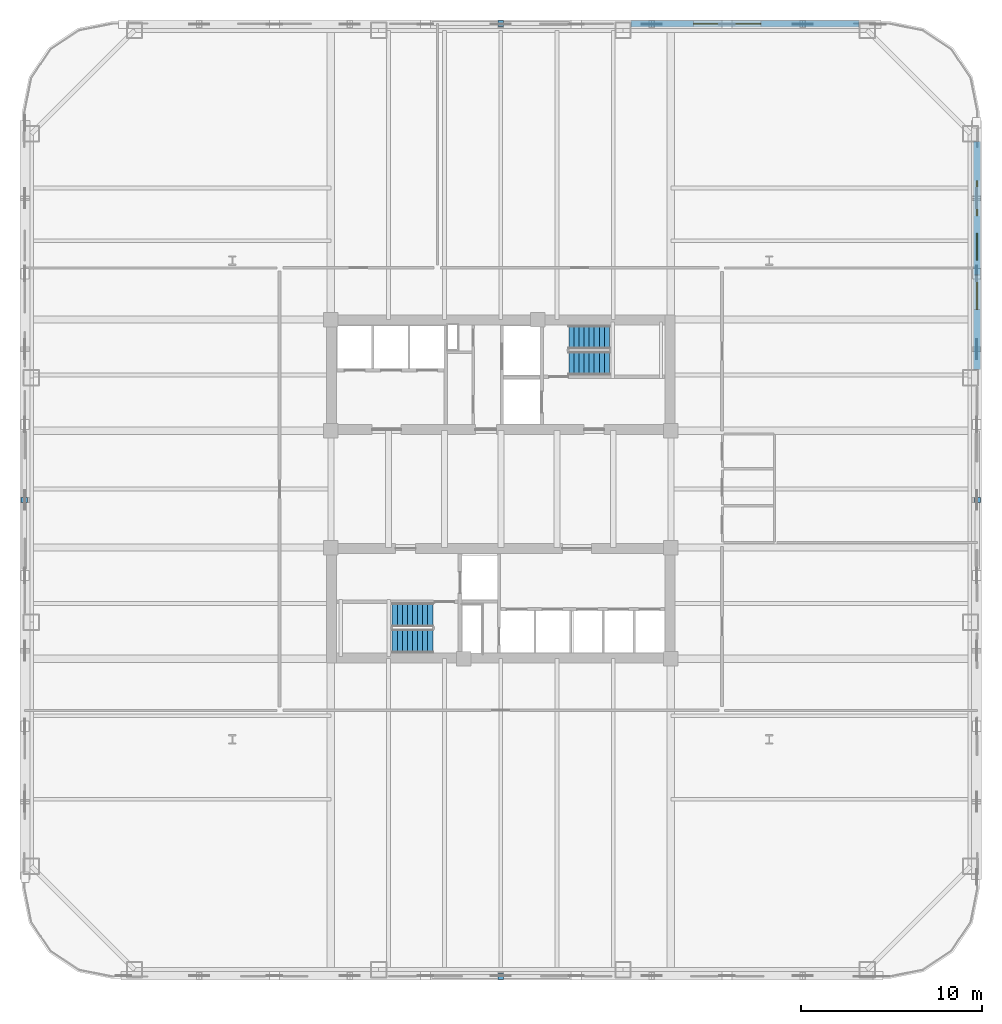
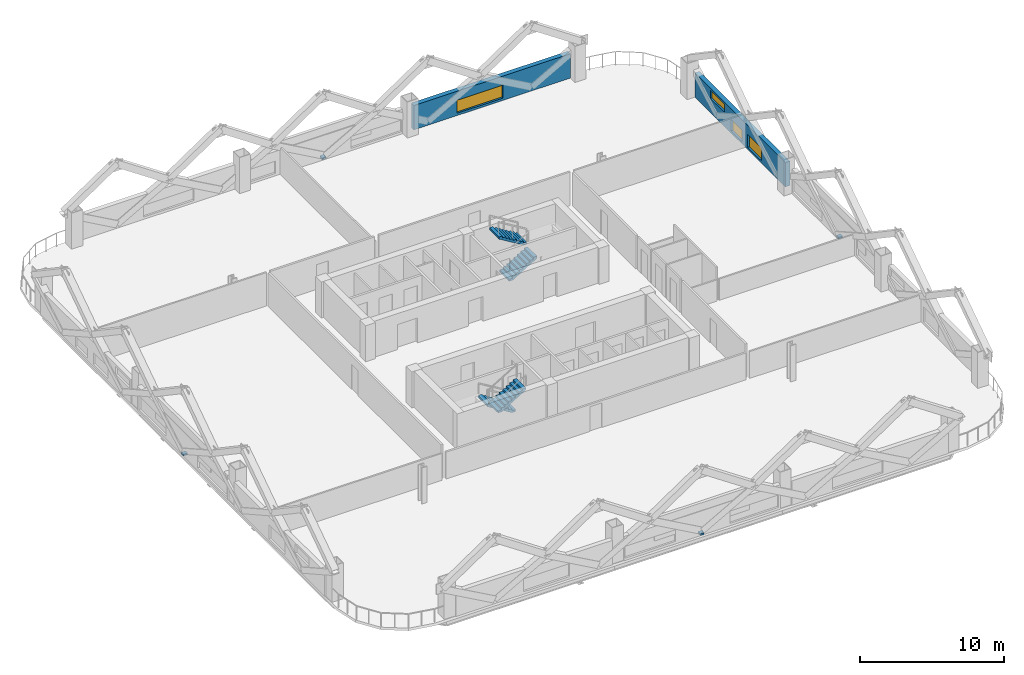
# One storey, part 7 of 13: 4 discrete accessories, 4 stair flights, 4 windows, 2 walls, 4 openings, 2 elements without a shape of their own.
"""IFC4 building model written with IfcOpenShell, lengths in metres."""

from ifc_helpers import new_model, si_unit, direction, frame, frame_2d, origin, origin_2d, place, context, subcontext, project, spatial, polyline, rectangle, outline, extrude, material, layer, layer_set, type_object, element, fill, aggregate, save


model = new_model("IFC4")

# Units and contexts
model_context = context("Model", 3, precision=1e-05, world=origin(), true_north=direction((0.0, 1.0)))
body_context = subcontext(model_context, "Body", "Model", "MODEL_VIEW")
ifc_project = project(units=[si_unit("LENGTHUNIT", "METRE"), si_unit("AREAUNIT", "SQUARE_METRE"), si_unit("VOLUMEUNIT", "CUBIC_METRE"), si_unit("PLANEANGLEUNIT", "RADIAN"), si_unit("MASSUNIT", "GRAM", prefix="KILO")], contexts=[model_context])

# Site, building, storey
site_placement = place(None, origin())
site = spatial("IfcSite", under=ifc_project, at=site_placement, CompositionType="ELEMENT")
building_placement = place(site_placement, origin())
building = spatial("IfcBuilding", under=site, at=building_placement, Name="Qhalaya Broadcast Tower", CompositionType="ELEMENT")
storey_placement = place(building_placement, frame((0.0, 0.0, 32.199951171875)))
storey = spatial("IfcBuildingStorey", under=building, at=storey_placement, Name="L08", CompositionType="ELEMENT", Elevation=32.199951171875)

# Wall, openings, windows
ifc_material_1 = material(Name="Precast Concrete C40/50", Category="concrete")
ifc_layer = layer(ifc_material_1, 0.360107421875, Name="Precast Concrete C40/50")
ifc_layer_set = layer_set([ifc_layer], Name="Precast Concrete C40/50")
wall_type = type_object("IfcWallType", Name="Insulated Precast Terracotta Exterior Wall 360", PredefinedType="SOLIDWALL", material=ifc_layer_set)
wall_1_placement = place(storey_placement, frame((26.260009765625, 19.761962890625, 0.0), z_axis=(0.0, 0.0, 1.0), x_axis=(0.0, -1.0, 0.0)))
wall_1 = element("IfcWall", 1, at=wall_1_placement, inside=storey, type_object=wall_type, Name="L08 Exoskeleton Diagrid Infill Wall E1", PredefinedType="SOLIDWALL", context=body_context, shape_type="SweptSolid", body=[
    extrude(rectangle(XDim=12.57861328125, YDim=0.360107421875, at=frame_2d((6.289306640625, 0.0))), origin(), (0.0, 0.0, 1.0), 2.067138671875),
])
opening_1_placement = place(wall_1_placement, frame((2.14990234375, 0.0, 1.199951171875)))
opening_1 = element("IfcOpeningElement", 2, at=opening_1_placement, cuts=wall_1, Name="Opening W11", PredefinedType="OPENING", context=body_context, shape_type="SweptSolid", body=[
    extrude(rectangle(XDim=1.949951171875, YDim=0.699951171875, at=frame_2d((0.97509765625, 0.35009765625))), frame((0.0, 0.192138671875, 0.0), z_axis=(0.0, -1.0, 0.0), x_axis=(1.0, 0.0, 0.0)), (0.0, 0.0, 1.0), 0.384033203125),
])
opening_2_placement = place(wall_1_placement, frame((5.050048828125, 0.0, 0.199951171875)))
opening_2 = element("IfcOpeningElement", 3, at=opening_2_placement, cuts=wall_1, Name="Opening W11", PredefinedType="OPENING", context=body_context, shape_type="SweptSolid", body=[
    extrude(rectangle(XDim=1.5, YDim=0.949951171875, at=frame_2d((0.75, 0.47509765625))), frame((0.0, 0.192138671875, 0.0), z_axis=(0.0, -1.0, 0.0), x_axis=(1.0, 0.0, 0.0)), (0.0, 0.0, 1.0), 0.384033203125),
])
opening_3_placement = place(wall_1_placement, frame((7.35009765625, 0.0, 0.199951171875)))
opening_3 = element("IfcOpeningElement", 4, at=opening_3_placement, cuts=wall_1, Name="Opening W11", PredefinedType="OPENING", context=body_context, shape_type="SweptSolid", body=[
    extrude(rectangle(XDim=1.89990234375, YDim=1.10009765625, at=frame_2d((0.949951171875, 0.550048828125))), frame((0.0, 0.192138671875, 0.0), z_axis=(0.0, -1.0, 0.0), x_axis=(1.0, 0.0, 0.0)), (0.0, 0.0, 1.0), 0.384033203125),
])
ifc_material_2 = material(Name="Solar-Control Low-E Triple Glazing", Category="glass")
window_type = type_object("IfcWindowType", Name="Odd-Block Diagrid Infill Window W11", PartitioningType="SINGLE_PANEL", PredefinedType="WINDOW", material=ifc_material_2)
window_1_placement = place(opening_1_placement, origin())
window_1 = element("IfcWindow", 5, at=window_1_placement, inside=storey, type_object=window_type, Name="L08 Diagrid Infill Window W11-E1", OverallHeight=0.699951171875, OverallWidth=1.949951171875, PartitioningType="SINGLE_PANEL", PredefinedType="WINDOW", context=body_context, shape_type="SweptSolid", body=[
    extrude(rectangle(XDim=1.949951171875, YDim=0.699951171875, at=frame_2d((0.97509765625, 0.35009765625))), frame((0.0, 0.030029296875, 0.0), z_axis=(0.0, -1.0, 0.0), x_axis=(1.0, 0.0, 0.0)), (0.0, 0.0, 1.0), 0.06005859375),
])
fill(opening_1, window_1)
window_2_placement = place(opening_2_placement, origin())
window_2 = element("IfcWindow", 6, at=window_2_placement, inside=storey, type_object=window_type, Name="L08 Diagrid Infill Window W11-E2", OverallHeight=0.949951171875, OverallWidth=1.5, PartitioningType="SINGLE_PANEL", PredefinedType="WINDOW", context=body_context, shape_type="SweptSolid", body=[
    extrude(rectangle(XDim=1.5, YDim=0.949951171875, at=frame_2d((0.75, 0.47509765625))), frame((0.0, 0.030029296875, 0.0), z_axis=(0.0, -1.0, 0.0), x_axis=(1.0, 0.0, 0.0)), (0.0, 0.0, 1.0), 0.06005859375),
])
fill(opening_2, window_2)
window_3_placement = place(opening_3_placement, origin())
window_3 = element("IfcWindow", 7, at=window_3_placement, inside=storey, type_object=window_type, Name="L08 Diagrid Infill Window W11-E3", OverallHeight=1.10009765625, OverallWidth=1.89990234375, PartitioningType="SINGLE_PANEL", PredefinedType="WINDOW", context=body_context, shape_type="SweptSolid", body=[
    extrude(rectangle(XDim=1.89990234375, YDim=1.10009765625, at=frame_2d((0.949951171875, 0.550048828125))), frame((0.0, 0.030029296875, 0.0), z_axis=(0.0, -1.0, 0.0), x_axis=(1.0, 0.0, 0.0)), (0.0, 0.0, 1.0), 0.06005859375),
])
fill(opening_3, window_3)

# Wall, opening, window
wall_2_placement = place(storey_placement, frame((7.183349609375, 26.260009765625, 0.0), z_axis=(0.0, 0.0, 1.0), x_axis=(1.0, 0.0, 0.0)))
wall_2 = element("IfcWall", 8, at=wall_2_placement, inside=storey, type_object=wall_type, Name="L08 Exoskeleton Diagrid Infill Wall N3", PredefinedType="SOLIDWALL", context=body_context, shape_type="SweptSolid", body=[
    extrude(rectangle(XDim=12.57861328125, YDim=0.360107421875, at=frame_2d((6.289306640625, 0.0))), origin(), (0.0, 0.0, 1.0), 2.067138671875),
])
opening_4_placement = place(wall_2_placement, frame((3.455078125, 0.0, 0.199951171875)))
opening_4 = element("IfcOpeningElement", 9, at=opening_4_placement, cuts=wall_2, Name="Opening W11", PredefinedType="OPENING", context=body_context, shape_type="SweptSolid", body=[
    extrude(rectangle(XDim=3.699951171875, YDim=1.10009765625, at=frame_2d((1.85009765625, 0.550048828125))), frame((0.0, 0.192138671875, 0.0), z_axis=(0.0, -1.0, 0.0), x_axis=(1.0, 0.0, 0.0)), (0.0, 0.0, 1.0), 0.384033203125),
])
window_4_placement = place(opening_4_placement, origin())
window_4 = element("IfcWindow", 10, at=window_4_placement, inside=storey, type_object=window_type, Name="L08 Diagrid Infill Window W11-N4", OverallHeight=1.10009765625, OverallWidth=3.699951171875, PartitioningType="SINGLE_PANEL", PredefinedType="WINDOW", context=body_context, shape_type="SweptSolid", body=[
    extrude(rectangle(XDim=3.699951171875, YDim=1.10009765625, at=frame_2d((1.85009765625, 0.550048828125))), frame((0.0, 0.030029296875, 0.0), z_axis=(0.0, -1.0, 0.0), x_axis=(1.0, 0.0, 0.0)), (0.0, 0.0, 1.0), 0.06005859375),
])
fill(opening_4, window_4)

# Stair, stair flights
ifc_material_3 = material(Name="Concrete C40/50", Category="concrete")
stair_type = type_object("IfcStairType", Name="Protected Dogleg Core Stair 3150", PredefinedType="TWO_STRAIGHT_RUN_STAIR", material=ifc_material_3)
stair_1_placement = place(storey_placement, origin())
stair_1 = element("IfcStair", 11, at=stair_1_placement, inside=storey, type_object=stair_type, Name="L08 North Core Exit Stair ST-1", PredefinedType="TWO_STRAIGHT_RUN_STAIR")
stair_flight_type = type_object("IfcStairFlightType", Name="Precast Concrete Stair Flight 3150", PredefinedType="STRAIGHT", material=ifc_material_1)
stair_flight_1_placement = place(storey_placement, frame((3.75, 7.5400390625, 0.0), z_axis=(0.0, 0.0, 1.0), x_axis=(1.0, 0.0, 0.0)))
stair_flight_1 = element("IfcStairFlight", 12, at=stair_flight_1_placement, type_object=stair_flight_type, Name="ST-1 flight 1", NumberOfRisers=9, NumberOfTreads=8, PredefinedType="STRAIGHT", RiserHeight=0.169444444, TreadLength=0.28, context=body_context, shape_type="SweptSolid", body=[
    extrude(outline(polyline([(0.0, 0.0), (0.0, 0.16943359375), (0.280029296875, 0.16943359375), (0.280029296875, 0.3388671875), (0.56005859375, 0.3388671875), (0.56005859375, 0.50830078125), (0.840087890625, 0.50830078125), (0.840087890625, 0.677734375), (1.1201171875, 0.677734375), (1.1201171875, 0.84716796875), (1.39990234375, 0.84716796875), (1.39990234375, 1.0166015625), (1.679931640625, 1.0166015625), (1.679931640625, 1.18603515625), (1.9599609375, 1.18603515625), (1.9599609375, 1.35546875), (2.239990234375, 1.35546875), (2.239990234375, 1.52490234375), (2.239990234375, 1.180419921875), (0.28955078125, 0.0), (0.0, 0.0)])), frame((0.0, 0.66015625, 0.0), z_axis=(0.0, -1.0, 0.0), x_axis=(1.0, 0.0, 0.0)), (0.0, 0.0, 1.0), 1.320068359375),
])
stair_flight_2_placement = place(storey_placement, frame((5.989990234375, 8.97998046875, 1.525146484375), z_axis=(0.0, 0.0, 1.0), x_axis=(-1.0, 0.0, 0.0)))
stair_flight_2 = element("IfcStairFlight", 13, at=stair_flight_2_placement, type_object=stair_flight_type, Name="ST-1 flight 2", NumberOfRisers=9, NumberOfTreads=8, PredefinedType="STRAIGHT", RiserHeight=0.169444444, TreadLength=0.28, context=body_context, shape_type="SweptSolid", body=[
    extrude(outline(polyline([(0.0, 0.0), (0.0, 0.16943359375), (0.280029296875, 0.16943359375), (0.280029296875, 0.3388671875), (0.56005859375, 0.3388671875), (0.56005859375, 0.50830078125), (0.840087890625, 0.50830078125), (0.840087890625, 0.677734375), (1.1201171875, 0.677734375), (1.1201171875, 0.84716796875), (1.39990234375, 0.84716796875), (1.39990234375, 1.0166015625), (1.679931640625, 1.0166015625), (1.679931640625, 1.18603515625), (1.9599609375, 1.18603515625), (1.9599609375, 1.35546875), (2.239990234375, 1.35546875), (2.239990234375, 1.52490234375), (2.239990234375, 1.180419921875), (0.28955078125, 0.0), (0.0, 0.0)])), frame((0.0, 0.66015625, 0.0), z_axis=(0.0, -1.0, 0.0), x_axis=(1.0, 0.0, 0.0)), (0.0, 0.0, 1.0), 1.320068359375),
])
aggregate(stair_1, [stair_flight_1, stair_flight_2])

stair_2_placement = place(storey_placement, origin())
stair_2 = element("IfcStair", 14, at=stair_2_placement, inside=storey, type_object=stair_type, Name="L08 South Core Exit Stair ST-2", PredefinedType="TWO_STRAIGHT_RUN_STAIR")
stair_flight_3_placement = place(storey_placement, frame((-3.75, -6.340087890625, 0.0), z_axis=(0.0, 0.0, 1.0), x_axis=(-1.0, 0.0, 0.0)))
stair_flight_3 = element("IfcStairFlight", 15, at=stair_flight_3_placement, type_object=stair_flight_type, Name="ST-2 flight 1", NumberOfRisers=9, NumberOfTreads=8, PredefinedType="STRAIGHT", RiserHeight=0.169444444, TreadLength=0.28, context=body_context, shape_type="SweptSolid", body=[
    extrude(outline(polyline([(0.0, 0.0), (0.0, 0.16943359375), (0.280029296875, 0.16943359375), (0.280029296875, 0.3388671875), (0.56005859375, 0.3388671875), (0.56005859375, 0.50830078125), (0.840087890625, 0.50830078125), (0.840087890625, 0.677734375), (1.1201171875, 0.677734375), (1.1201171875, 0.84716796875), (1.39990234375, 0.84716796875), (1.39990234375, 1.0166015625), (1.679931640625, 1.0166015625), (1.679931640625, 1.18603515625), (1.9599609375, 1.18603515625), (1.9599609375, 1.35546875), (2.239990234375, 1.35546875), (2.239990234375, 1.52490234375), (2.239990234375, 1.180419921875), (0.28955078125, 0.0), (0.0, 0.0)])), frame((0.0, 0.66015625, 0.0), z_axis=(0.0, -1.0, 0.0), x_axis=(1.0, 0.0, 0.0)), (0.0, 0.0, 1.0), 1.320068359375),
])
stair_flight_4_placement = place(storey_placement, frame((-5.989990234375, -7.780029296875, 1.525146484375), z_axis=(0.0, 0.0, 1.0), x_axis=(1.0, 0.0, 0.0)))
stair_flight_4 = element("IfcStairFlight", 16, at=stair_flight_4_placement, type_object=stair_flight_type, Name="ST-2 flight 2", NumberOfRisers=9, NumberOfTreads=8, PredefinedType="STRAIGHT", RiserHeight=0.169444444, TreadLength=0.28, context=body_context, shape_type="SweptSolid", body=[
    extrude(outline(polyline([(0.0, 0.0), (0.0, 0.16943359375), (0.280029296875, 0.16943359375), (0.280029296875, 0.3388671875), (0.56005859375, 0.3388671875), (0.56005859375, 0.50830078125), (0.840087890625, 0.50830078125), (0.840087890625, 0.677734375), (1.1201171875, 0.677734375), (1.1201171875, 0.84716796875), (1.39990234375, 0.84716796875), (1.39990234375, 1.0166015625), (1.679931640625, 1.0166015625), (1.679931640625, 1.18603515625), (1.9599609375, 1.18603515625), (1.9599609375, 1.35546875), (2.239990234375, 1.35546875), (2.239990234375, 1.52490234375), (2.239990234375, 1.180419921875), (0.28955078125, 0.0), (0.0, 0.0)])), frame((0.0, 0.66015625, 0.0), z_axis=(0.0, -1.0, 0.0), x_axis=(1.0, 0.0, 0.0)), (0.0, 0.0, 1.0), 1.320068359375),
])
aggregate(stair_2, [stair_flight_3, stair_flight_4])

# Discrete accessories
ifc_material_4 = material(Name="Structural Steel ASTM A572 Grade 50", Category="steel")
discrete_accessory_type = type_object("IfcDiscreteAccessoryType", Name="Facade Baguette Support Bracket BRK-01", PredefinedType="BRACKET", material=ifc_material_4)
for number, where, z_axis, x_axis, name in (
    (17, (0.0, -26.280029296875, 0.0), (0.0, 0.0, 1.0), (1.0, 0.0, 0.0), "L08 Baguette Support Bracket S"),
    (18, (26.280029296875, 0.0, 0.0), (0.0, 0.0, 1.0), (0.0, 1.0, 0.0), "L08 Baguette Support Bracket E"),
    (19, (0.0, 26.280029296875, 0.0), (0.0, 0.0, 1.0), (-1.0, 0.0, 0.0), "L08 Baguette Support Bracket N"),
    (20, (-26.280029296875, 0.0, 0.0), (0.0, 0.0, 1.0), (0.0, -1.0, 0.0), "L08 Baguette Support Bracket W"),
):
    element("IfcDiscreteAccessory", number, at=place(storey_placement, frame(where, z_axis=z_axis, x_axis=x_axis)), inside=storey, type_object=discrete_accessory_type, Name=name, PredefinedType="BRACKET", context=body_context, shape_type="SweptSolid", body=[
        extrude(rectangle(XDim=0.300048828125, YDim=0.340087890625, at=origin_2d()), origin(), (0.0, 0.0, 1.0), 0.159912109375),
    ])

save(model, "model.ifc")
